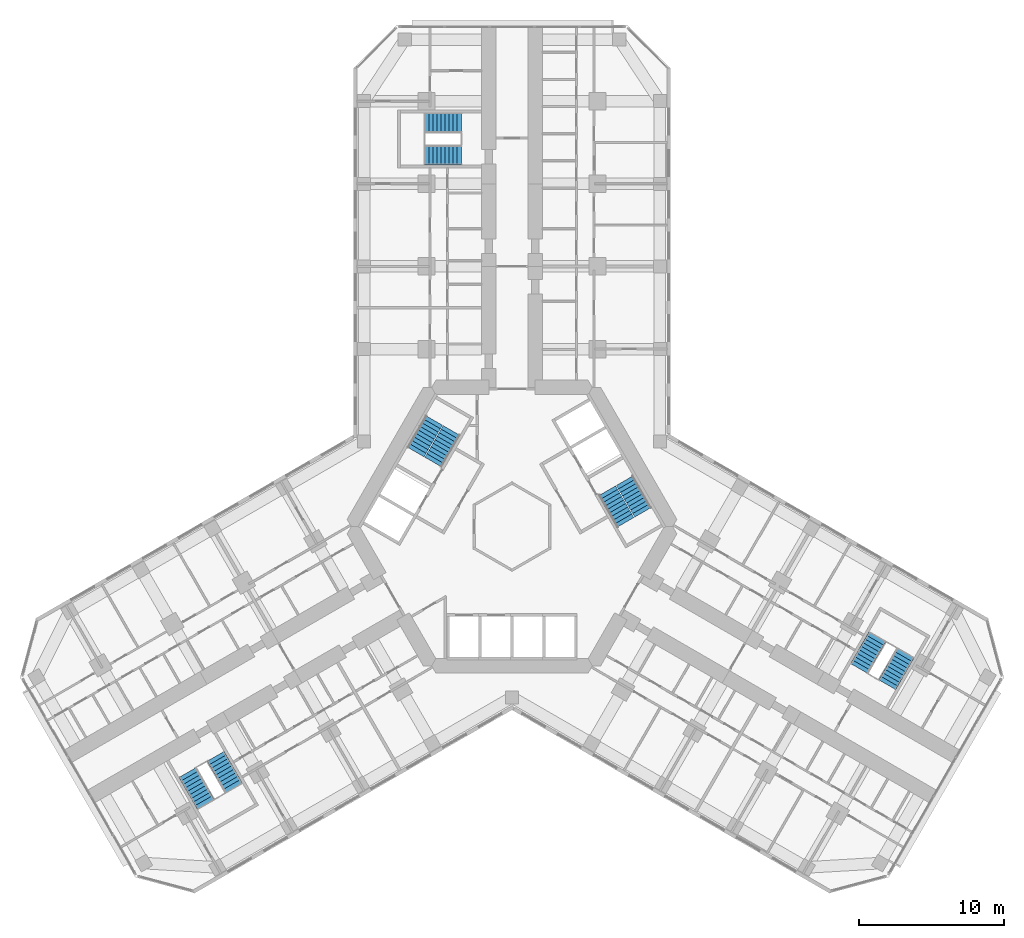
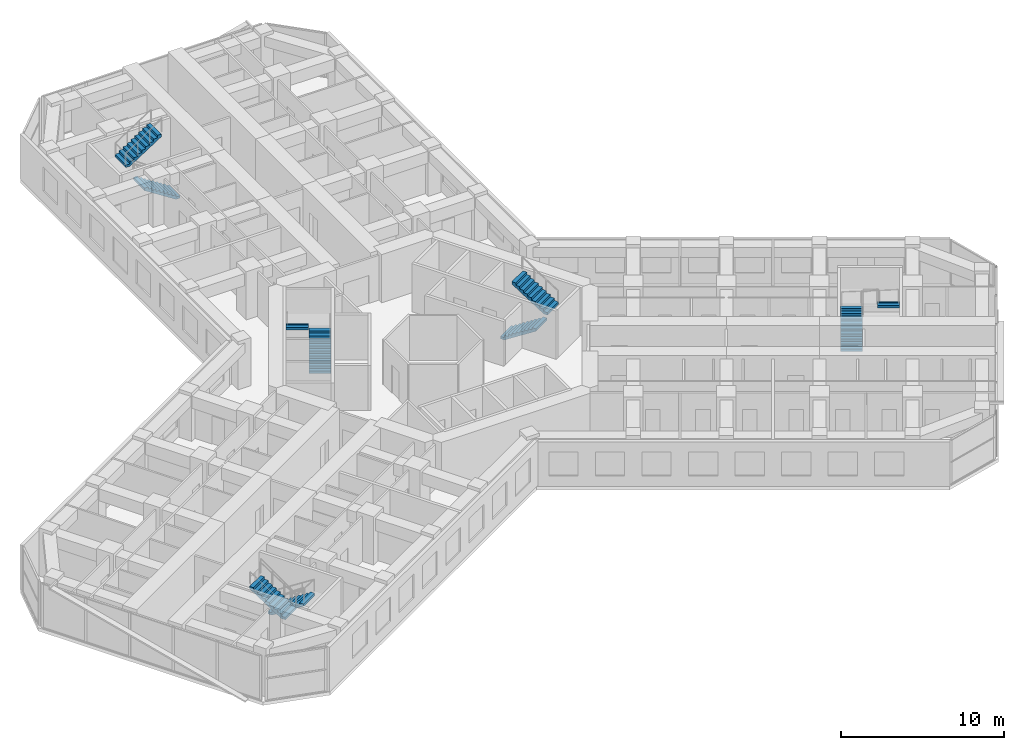
# One storey, part 20 of 21: 10 stair flights, 5 elements without a shape of their own.
"""IFC4 building model written with IfcOpenShell, lengths in metres."""

from ifc_helpers import new_model, si_unit, direction, frame, origin, place, context, subcontext, project, spatial, polyline, outline, extrude, material, type_object, element, aggregate, save


model = new_model("IFC4")

# Units and contexts
model_context = context("Model", 3, precision=1e-05, world=origin(), true_north=direction((0.0, 1.0)))
body_context = subcontext(model_context, "Body", "Model", "MODEL_VIEW")
ifc_project = project(units=[si_unit("LENGTHUNIT", "METRE"), si_unit("AREAUNIT", "SQUARE_METRE"), si_unit("VOLUMEUNIT", "CUBIC_METRE"), si_unit("PLANEANGLEUNIT", "RADIAN"), si_unit("MASSUNIT", "GRAM", prefix="KILO")], contexts=[model_context])

# Site, building, storey
site_placement = place(None, origin())
site = spatial("IfcSite", under=ifc_project, at=site_placement, CompositionType="ELEMENT")
building_placement = place(site_placement, origin())
building = spatial("IfcBuilding", under=site, at=building_placement, Name="Kosmar Iwan School Tower", CompositionType="ELEMENT")
storey_placement = place(building_placement, frame((0.0, 0.0, 102.39990234375)))
storey = spatial("IfcBuildingStorey", under=building, at=storey_placement, Name="L25", CompositionType="ELEMENT", Elevation=102.39990234375)

# Stair, stair flights
ifc_material_1 = material(Name="Concrete C35/45", Category="concrete")
stair_type_1 = type_object("IfcStairType", Name="Escape stair 3600", PredefinedType="HALF_TURN_STAIR", material=ifc_material_1)
stair_1_placement = place(storey_placement, origin())
stair_1 = element("IfcStair", 1, at=stair_1_placement, inside=storey, type_object=stair_type_1, Name="Stair WS1 L25", PredefinedType="HALF_TURN_STAIR")
ifc_material_2 = material(Name="Concrete C35/45", Category="concrete")
stair_flight_type_1 = type_object("IfcStairFlightType", Name="Escape stair flight 1350", PredefinedType="STRAIGHT", material=ifc_material_2)
stair_flight_1_placement = place(storey_placement, frame((-3.5, 25.625, 0.0), z_axis=(0.0, 0.0, 1.0), x_axis=(-1.0, 0.0, 0.0)))
stair_flight_1 = element("IfcStairFlight", 2, at=stair_flight_1_placement, type_object=stair_flight_type_1, Name="WS1 flight 1", NumberOfRisers=10, NumberOfTreads=9, PredefinedType="STRAIGHT", RiserHeight=0.18, TreadLength=0.28, context=body_context, shape_type="SweptSolid", body=[
    extrude(outline(polyline([(0.0, 0.0), (0.0, 0.179931640625), (0.280029296875, 0.179931640625), (0.280029296875, 0.360107421875), (0.56005859375, 0.360107421875), (0.56005859375, 0.5400390625), (0.840087890625, 0.5400390625), (0.840087890625, 0.719970703125), (1.1201171875, 0.719970703125), (1.1201171875, 0.89990234375), (1.39990234375, 0.89990234375), (1.39990234375, 1.080078125), (1.679931640625, 1.080078125), (1.679931640625, 1.260009765625), (1.9599609375, 1.260009765625), (1.9599609375, 1.43994140625), (2.239990234375, 1.43994140625), (2.239990234375, 1.6201171875), (2.52001953125, 1.6201171875), (2.52001953125, 1.800048828125), (2.52001953125, 1.44189453125), (0.277099609375, 0.0), (0.0, 0.0)])), frame((0.0, 0.675048828125, 0.0), z_axis=(0.0, -1.0, 0.0), x_axis=(1.0, 0.0, 0.0)), (0.0, 0.0, 1.0), 1.35009765625),
])
stair_flight_2_placement = place(storey_placement, frame((-6.02001953125, 27.875, 1.800048828125), z_axis=(0.0, 0.0, 1.0), x_axis=(1.0, 0.0, 0.0)))
stair_flight_2 = element("IfcStairFlight", 3, at=stair_flight_2_placement, type_object=stair_flight_type_1, Name="WS1 flight 2", NumberOfRisers=10, NumberOfTreads=9, PredefinedType="STRAIGHT", RiserHeight=0.18, TreadLength=0.28, context=body_context, shape_type="SweptSolid", body=[
    extrude(outline(polyline([(0.0, 0.0), (0.0, 0.179931640625), (0.280029296875, 0.179931640625), (0.280029296875, 0.360107421875), (0.56005859375, 0.360107421875), (0.56005859375, 0.5400390625), (0.840087890625, 0.5400390625), (0.840087890625, 0.719970703125), (1.1201171875, 0.719970703125), (1.1201171875, 0.89990234375), (1.39990234375, 0.89990234375), (1.39990234375, 1.080078125), (1.679931640625, 1.080078125), (1.679931640625, 1.260009765625), (1.9599609375, 1.260009765625), (1.9599609375, 1.43994140625), (2.239990234375, 1.43994140625), (2.239990234375, 1.6201171875), (2.52001953125, 1.6201171875), (2.52001953125, 1.800048828125), (2.52001953125, 1.44189453125), (0.277099609375, 0.0), (0.0, 0.0)])), frame((0.0, 0.675048828125, 0.0), z_axis=(0.0, -1.0, 0.0), x_axis=(1.0, 0.0, 0.0)), (0.0, 0.0, 1.0), 1.35009765625),
])
aggregate(stair_1, [stair_flight_1, stair_flight_2])

stair_2_placement = place(storey_placement, origin())
stair_2 = element("IfcStair", 4, at=stair_2_placement, inside=storey, type_object=stair_type_1, Name="Stair WS2 L25", PredefinedType="HALF_TURN_STAIR")
stair_flight_3_placement = place(storey_placement, frame((-20.44189453125, -15.843505859375, 0.0), z_axis=(0.0, 0.0, 1.0), x_axis=(0.5, -0.866025403784, 0.0)))
stair_flight_3 = element("IfcStairFlight", 5, at=stair_flight_3_placement, type_object=stair_flight_type_1, Name="WS2 flight 1", NumberOfRisers=10, NumberOfTreads=9, PredefinedType="STRAIGHT", RiserHeight=0.18, TreadLength=0.28, context=body_context, shape_type="SweptSolid", body=[
    extrude(outline(polyline([(0.0, 0.0), (0.0, 0.179931640625), (0.280029296875, 0.179931640625), (0.280029296875, 0.360107421875), (0.56005859375, 0.360107421875), (0.56005859375, 0.5400390625), (0.840087890625, 0.5400390625), (0.840087890625, 0.719970703125), (1.1201171875, 0.719970703125), (1.1201171875, 0.89990234375), (1.39990234375, 0.89990234375), (1.39990234375, 1.080078125), (1.679931640625, 1.080078125), (1.679931640625, 1.260009765625), (1.9599609375, 1.260009765625), (1.9599609375, 1.43994140625), (2.239990234375, 1.43994140625), (2.239990234375, 1.6201171875), (2.52001953125, 1.6201171875), (2.52001953125, 1.800048828125), (2.52001953125, 1.44189453125), (0.277099609375, 0.0), (0.0, 0.0)])), frame((0.0, 0.675048828125, 0.0), z_axis=(0.0, -1.0, 0.0), x_axis=(1.0, 0.0, 0.0)), (0.0, 0.0, 1.0), 1.35009765625),
])
stair_flight_4_placement = place(storey_placement, frame((-21.13037109375, -19.15087890625, 1.800048828125), z_axis=(0.0, 0.0, 1.0), x_axis=(-0.5, 0.866025403784, 0.0)))
stair_flight_4 = element("IfcStairFlight", 6, at=stair_flight_4_placement, type_object=stair_flight_type_1, Name="WS2 flight 2", NumberOfRisers=10, NumberOfTreads=9, PredefinedType="STRAIGHT", RiserHeight=0.18, TreadLength=0.28, context=body_context, shape_type="SweptSolid", body=[
    extrude(outline(polyline([(0.0, 0.0), (0.0, 0.179931640625), (0.280029296875, 0.179931640625), (0.280029296875, 0.360107421875), (0.56005859375, 0.360107421875), (0.56005859375, 0.5400390625), (0.840087890625, 0.5400390625), (0.840087890625, 0.719970703125), (1.1201171875, 0.719970703125), (1.1201171875, 0.89990234375), (1.39990234375, 0.89990234375), (1.39990234375, 1.080078125), (1.679931640625, 1.080078125), (1.679931640625, 1.260009765625), (1.9599609375, 1.260009765625), (1.9599609375, 1.43994140625), (2.239990234375, 1.43994140625), (2.239990234375, 1.6201171875), (2.52001953125, 1.6201171875), (2.52001953125, 1.800048828125), (2.52001953125, 1.44189453125), (0.277099609375, 0.0), (0.0, 0.0)])), frame((0.0, 0.675048828125, 0.0), z_axis=(0.0, -1.0, 0.0), x_axis=(1.0, 0.0, 0.0)), (0.0, 0.0, 1.0), 1.35009765625),
])
aggregate(stair_2, [stair_flight_3, stair_flight_4])

stair_3_placement = place(storey_placement, origin())
stair_3 = element("IfcStair", 7, at=stair_3_placement, inside=storey, type_object=stair_type_1, Name="Stair WS3 L25", PredefinedType="HALF_TURN_STAIR")
stair_flight_5_placement = place(storey_placement, frame((23.94189453125, -9.781494140625, 0.0), z_axis=(0.0, 0.0, 1.0), x_axis=(0.5, 0.866025403784, 0.0)))
stair_flight_5 = element("IfcStairFlight", 8, at=stair_flight_5_placement, type_object=stair_flight_type_1, Name="WS3 flight 1", NumberOfRisers=10, NumberOfTreads=9, PredefinedType="STRAIGHT", RiserHeight=0.18, TreadLength=0.28, context=body_context, shape_type="SweptSolid", body=[
    extrude(outline(polyline([(0.0, 0.0), (0.0, 0.179931640625), (0.280029296875, 0.179931640625), (0.280029296875, 0.360107421875), (0.56005859375, 0.360107421875), (0.56005859375, 0.5400390625), (0.840087890625, 0.5400390625), (0.840087890625, 0.719970703125), (1.1201171875, 0.719970703125), (1.1201171875, 0.89990234375), (1.39990234375, 0.89990234375), (1.39990234375, 1.080078125), (1.679931640625, 1.080078125), (1.679931640625, 1.260009765625), (1.9599609375, 1.260009765625), (1.9599609375, 1.43994140625), (2.239990234375, 1.43994140625), (2.239990234375, 1.6201171875), (2.52001953125, 1.6201171875), (2.52001953125, 1.800048828125), (2.52001953125, 1.44189453125), (0.277099609375, 0.0), (0.0, 0.0)])), frame((0.0, 0.675048828125, 0.0), z_axis=(0.0, -1.0, 0.0), x_axis=(1.0, 0.0, 0.0)), (0.0, 0.0, 1.0), 1.35009765625),
])
stair_flight_6_placement = place(storey_placement, frame((27.150390625, -8.72412109375, 1.800048828125), z_axis=(0.0, 0.0, 1.0), x_axis=(-0.5, -0.866025403784, 0.0)))
stair_flight_6 = element("IfcStairFlight", 9, at=stair_flight_6_placement, type_object=stair_flight_type_1, Name="WS3 flight 2", NumberOfRisers=10, NumberOfTreads=9, PredefinedType="STRAIGHT", RiserHeight=0.18, TreadLength=0.28, context=body_context, shape_type="SweptSolid", body=[
    extrude(outline(polyline([(0.0, 0.0), (0.0, 0.179931640625), (0.280029296875, 0.179931640625), (0.280029296875, 0.360107421875), (0.56005859375, 0.360107421875), (0.56005859375, 0.5400390625), (0.840087890625, 0.5400390625), (0.840087890625, 0.719970703125), (1.1201171875, 0.719970703125), (1.1201171875, 0.89990234375), (1.39990234375, 0.89990234375), (1.39990234375, 1.080078125), (1.679931640625, 1.080078125), (1.679931640625, 1.260009765625), (1.9599609375, 1.260009765625), (1.9599609375, 1.43994140625), (2.239990234375, 1.43994140625), (2.239990234375, 1.6201171875), (2.52001953125, 1.6201171875), (2.52001953125, 1.800048828125), (2.52001953125, 1.44189453125), (0.277099609375, 0.0), (0.0, 0.0)])), frame((0.0, 0.675048828125, 0.0), z_axis=(0.0, -1.0, 0.0), x_axis=(1.0, 0.0, 0.0)), (0.0, 0.0, 1.0), 1.35009765625),
])
aggregate(stair_3, [stair_flight_5, stair_flight_6])

ifc_material_3 = material(Name="Concrete C35/45", Category="concrete")
stair_type_2 = type_object("IfcStairType", Name="Core stair 2750", PredefinedType="HALF_TURN_STAIR", material=ifc_material_3)
stair_4_placement = place(storey_placement, origin())
stair_4 = element("IfcStair", 10, at=stair_4_placement, inside=storey, type_object=stair_type_2, Name="Stair ST2 L25", PredefinedType="HALF_TURN_STAIR")
ifc_material_4 = material(Name="Concrete C35/45", Category="concrete")
stair_flight_type_2 = type_object("IfcStairFlightType", Name="Stair flight 1350", PredefinedType="STRAIGHT", material=ifc_material_4)
stair_flight_7_placement = place(storey_placement, frame((-5.42724609375, 4.44970703125, 0.0), z_axis=(0.0, 0.0, 1.0), x_axis=(0.5, 0.866025403784, 0.0)))
stair_flight_7 = element("IfcStairFlight", 11, at=stair_flight_7_placement, type_object=stair_flight_type_2, Name="ST2 flight 1", NumberOfRisers=10, NumberOfTreads=9, PredefinedType="STRAIGHT", RiserHeight=0.18, TreadLength=0.28, context=body_context, shape_type="SweptSolid", body=[
    extrude(outline(polyline([(0.0, 0.0), (0.0, 0.179931640625), (0.280029296875, 0.179931640625), (0.280029296875, 0.360107421875), (0.56005859375, 0.360107421875), (0.56005859375, 0.5400390625), (0.840087890625, 0.5400390625), (0.840087890625, 0.719970703125), (1.1201171875, 0.719970703125), (1.1201171875, 0.89990234375), (1.39990234375, 0.89990234375), (1.39990234375, 1.080078125), (1.679931640625, 1.080078125), (1.679931640625, 1.260009765625), (1.9599609375, 1.260009765625), (1.9599609375, 1.43994140625), (2.239990234375, 1.43994140625), (2.239990234375, 1.6201171875), (2.52001953125, 1.6201171875), (2.52001953125, 1.800048828125), (2.52001953125, 1.44189453125), (0.277099609375, 0.0), (0.0, 0.0)])), frame((0.0, 0.675048828125, 0.0), z_axis=(0.0, -1.0, 0.0), x_axis=(1.0, 0.0, 0.0)), (0.0, 0.0, 1.0), 1.35009765625),
])
stair_flight_8_placement = place(storey_placement, frame((-5.379638671875, 7.33203125, 1.800048828125), z_axis=(0.0, 0.0, 1.0), x_axis=(-0.5, -0.866025403784, 0.0)))
stair_flight_8 = element("IfcStairFlight", 12, at=stair_flight_8_placement, type_object=stair_flight_type_2, Name="ST2 flight 2", NumberOfRisers=10, NumberOfTreads=9, PredefinedType="STRAIGHT", RiserHeight=0.18, TreadLength=0.28, context=body_context, shape_type="SweptSolid", body=[
    extrude(outline(polyline([(0.0, 0.0), (0.0, 0.179931640625), (0.280029296875, 0.179931640625), (0.280029296875, 0.360107421875), (0.56005859375, 0.360107421875), (0.56005859375, 0.5400390625), (0.840087890625, 0.5400390625), (0.840087890625, 0.719970703125), (1.1201171875, 0.719970703125), (1.1201171875, 0.89990234375), (1.39990234375, 0.89990234375), (1.39990234375, 1.080078125), (1.679931640625, 1.080078125), (1.679931640625, 1.260009765625), (1.9599609375, 1.260009765625), (1.9599609375, 1.43994140625), (2.239990234375, 1.43994140625), (2.239990234375, 1.6201171875), (2.52001953125, 1.6201171875), (2.52001953125, 1.800048828125), (2.52001953125, 1.44189453125), (0.277099609375, 0.0), (0.0, 0.0)])), frame((0.0, 0.675048828125, 0.0), z_axis=(0.0, -1.0, 0.0), x_axis=(1.0, 0.0, 0.0)), (0.0, 0.0, 1.0), 1.35009765625),
])
aggregate(stair_4, [stair_flight_7, stair_flight_8])

stair_5_placement = place(storey_placement, origin())
stair_5 = element("IfcStair", 13, at=stair_5_placement, inside=storey, type_object=stair_type_2, Name="Stair ST1 L25", PredefinedType="HALF_TURN_STAIR")
stair_flight_9_placement = place(storey_placement, frame((6.567138671875, 2.475341796875, 0.0), z_axis=(0.0, 0.0, 1.0), x_axis=(0.5, -0.866025403784, 0.0)))
stair_flight_9 = element("IfcStairFlight", 14, at=stair_flight_9_placement, type_object=stair_flight_type_2, Name="ST1 flight 1", NumberOfRisers=10, NumberOfTreads=9, PredefinedType="STRAIGHT", RiserHeight=0.18, TreadLength=0.28, context=body_context, shape_type="SweptSolid", body=[
    extrude(outline(polyline([(0.0, 0.0), (0.0, 0.179931640625), (0.280029296875, 0.179931640625), (0.280029296875, 0.360107421875), (0.56005859375, 0.360107421875), (0.56005859375, 0.5400390625), (0.840087890625, 0.5400390625), (0.840087890625, 0.719970703125), (1.1201171875, 0.719970703125), (1.1201171875, 0.89990234375), (1.39990234375, 0.89990234375), (1.39990234375, 1.080078125), (1.679931640625, 1.080078125), (1.679931640625, 1.260009765625), (1.9599609375, 1.260009765625), (1.9599609375, 1.43994140625), (2.239990234375, 1.43994140625), (2.239990234375, 1.6201171875), (2.52001953125, 1.6201171875), (2.52001953125, 1.800048828125), (2.52001953125, 1.44189453125), (0.277099609375, 0.0), (0.0, 0.0)])), frame((0.0, 0.675048828125, 0.0), z_axis=(0.0, -1.0, 0.0), x_axis=(1.0, 0.0, 0.0)), (0.0, 0.0, 1.0), 1.35009765625),
])
stair_flight_10_placement = place(storey_placement, frame((9.03955078125, 0.992919921875, 1.800048828125), z_axis=(0.0, 0.0, 1.0), x_axis=(-0.5, 0.866025403784, 0.0)))
stair_flight_10 = element("IfcStairFlight", 15, at=stair_flight_10_placement, type_object=stair_flight_type_2, Name="ST1 flight 2", NumberOfRisers=10, NumberOfTreads=9, PredefinedType="STRAIGHT", RiserHeight=0.18, TreadLength=0.28, context=body_context, shape_type="SweptSolid", body=[
    extrude(outline(polyline([(0.0, 0.0), (0.0, 0.179931640625), (0.280029296875, 0.179931640625), (0.280029296875, 0.360107421875), (0.56005859375, 0.360107421875), (0.56005859375, 0.5400390625), (0.840087890625, 0.5400390625), (0.840087890625, 0.719970703125), (1.1201171875, 0.719970703125), (1.1201171875, 0.89990234375), (1.39990234375, 0.89990234375), (1.39990234375, 1.080078125), (1.679931640625, 1.080078125), (1.679931640625, 1.260009765625), (1.9599609375, 1.260009765625), (1.9599609375, 1.43994140625), (2.239990234375, 1.43994140625), (2.239990234375, 1.6201171875), (2.52001953125, 1.6201171875), (2.52001953125, 1.800048828125), (2.52001953125, 1.44189453125), (0.277099609375, 0.0), (0.0, 0.0)])), frame((0.0, 0.675048828125, 0.0), z_axis=(0.0, -1.0, 0.0), x_axis=(1.0, 0.0, 0.0)), (0.0, 0.0, 1.0), 1.35009765625),
])
aggregate(stair_5, [stair_flight_9, stair_flight_10])

save(model, "model.ifc")
